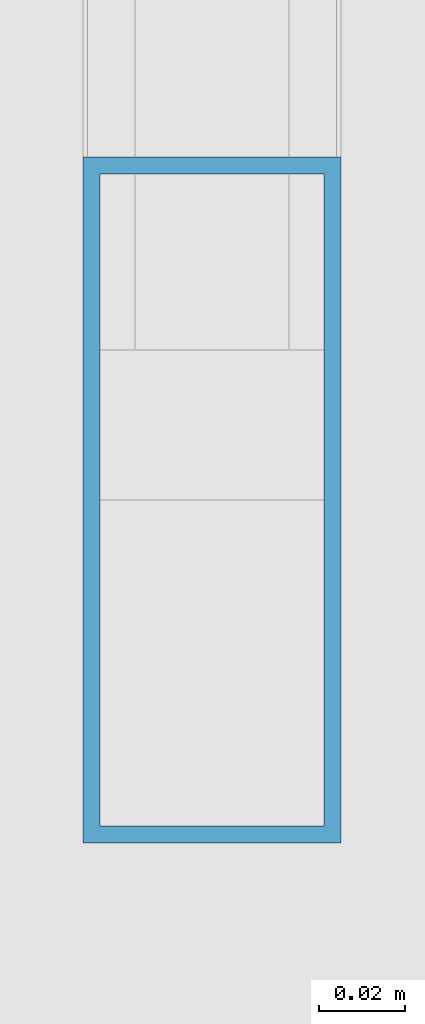
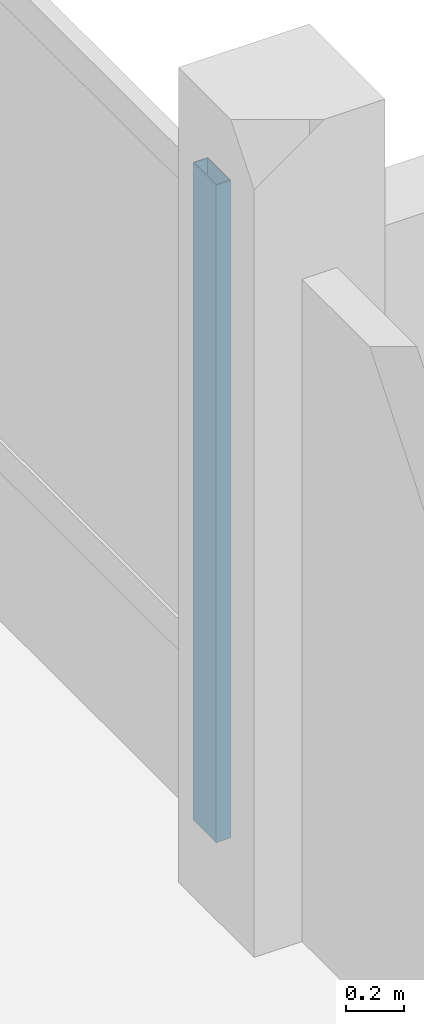
# One storey, part 4 of 26: 1 member, 1 element without a shape of its own.
"""IFC4 building model written with IfcOpenShell, lengths in metres."""

from ifc_helpers import new_model, si_unit, direction, frame, origin, origin_2d, place, context, subcontext, project, spatial, hollow_rectangle, extrude, material, material_profile, profile_set, type_object, element, aggregate, save


model = new_model("IFC4")

# Units and contexts
model_context = context("Model", 3, precision=1e-05, world=origin(), true_north=direction((0.0, 1.0)))
body_context = subcontext(model_context, "Body", "Model", "MODEL_VIEW")
ifc_project = project(units=[si_unit("LENGTHUNIT", "METRE"), si_unit("AREAUNIT", "SQUARE_METRE"), si_unit("VOLUMEUNIT", "CUBIC_METRE"), si_unit("PLANEANGLEUNIT", "RADIAN"), si_unit("MASSUNIT", "GRAM", prefix="KILO")], contexts=[model_context])

# Site, building, storey
site_placement = place(None, origin())
site = spatial("IfcSite", under=ifc_project, at=site_placement, CompositionType="ELEMENT")
building_placement = place(site_placement, origin())
building = spatial("IfcBuilding", under=site, at=building_placement, Name="Zornivar Specialist Clinic", CompositionType="ELEMENT")
storey_placement = place(building_placement, frame((0.0, 0.0, 19.699951171875)))
storey = spatial("IfcBuildingStorey", under=building, at=storey_placement, Name="L05", CompositionType="ELEMENT", Elevation=19.699951171875)

# Curtain wall, member
ifc_material_1 = material(Name="Aluminium and Low-E Glass Curtain Wall", Category="aluminium")
curtain_wall_type = type_object("IfcCurtainWallType", Name="CW-REVAK-COURT", PredefinedType="NOTDEFINED", material=ifc_material_1)
curtain_wall_placement = place(storey_placement, origin())
curtain_wall = element("IfcCurtainWall", 1, at=curtain_wall_placement, inside=storey, type_object=curtain_wall_type, Name="cw:V2:L05:10", PredefinedType="NOTDEFINED")
ifc_material_2 = material(Name="Aluminium AW-6060", Category="aluminium")
ifc_material_profile = material_profile(ifc_material_2, hollow_rectangle(XDim=0.06005859375, YDim=0.159912109375, WallThickness=0.00390625, at=origin_2d()), Name="ALU 60x160x4")
ifc_profile_set = profile_set([ifc_material_profile], Name="Aluminium AW-6060")
member_type = type_object("IfcMemberType", Name="CWM-MUL-160", PredefinedType="MULLION", material=ifc_profile_set)
member_placement = place(storey_placement, frame((14.39990234375, 14.8798828125, 0.0), z_axis=(0.0, 0.0, 1.0), x_axis=(1.0, 0.0, 0.0)))
member = element("IfcMember", 2, at=member_placement, type_object=member_type, Name="cw:V2:L05:10:mul:0", PredefinedType="MULLION", context=body_context, shape_type="SweptSolid", body=[
    extrude(hollow_rectangle(XDim=0.06005859375, YDim=0.159912109375, WallThickness=0.00390625, at=origin_2d()), origin(), (0.0, 0.0, 1.0), 2.760009765625),
])
aggregate(curtain_wall, [member])

save(model, "model.ifc")
